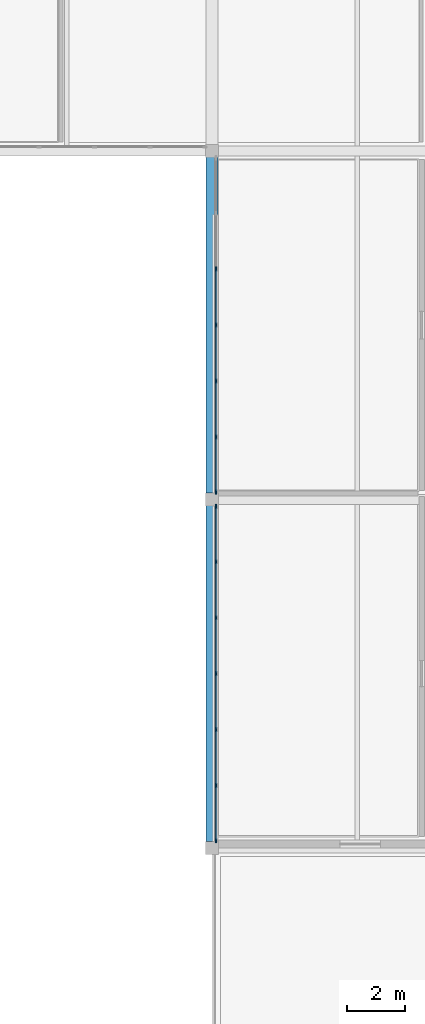
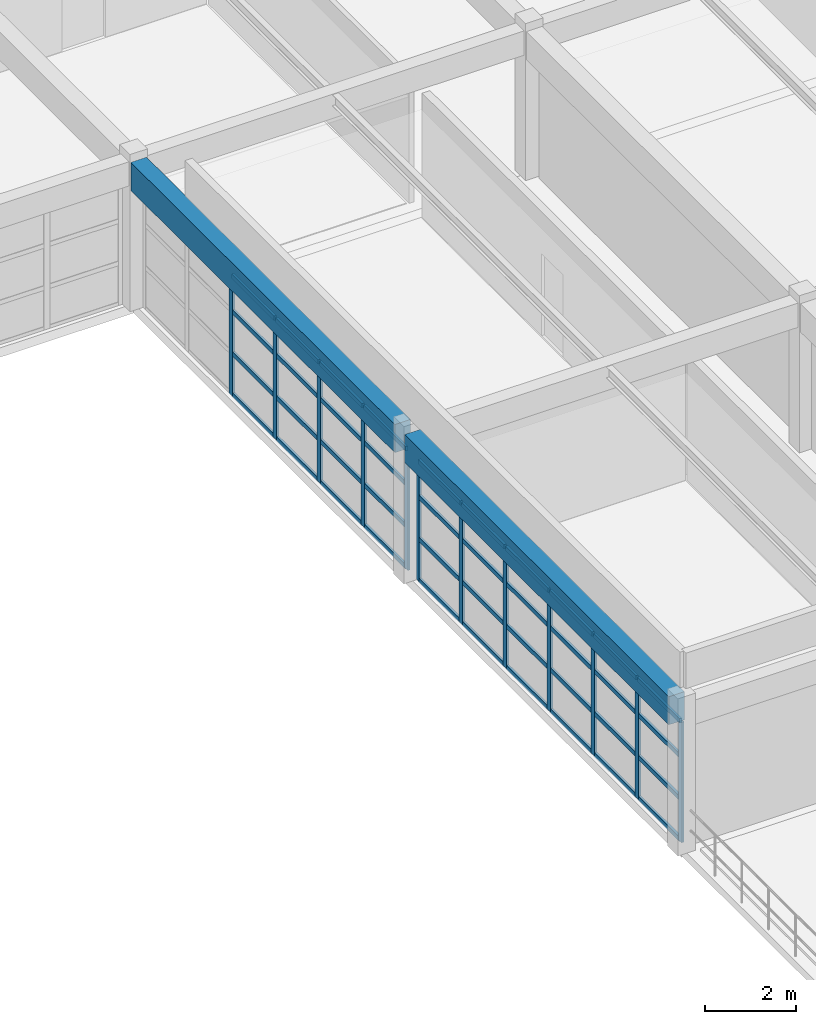
# One storey, part 2 of 16: 52 members, 2 beams, 2 elements without a shape of their own.
"""IFC4 building model written with IfcOpenShell, lengths in metres."""

from ifc_helpers import new_model, si_unit, direction, frame, origin, origin_2d, place, context, subcontext, project, spatial, rectangle, extrude, material, layer, layer_set, material_profile, profile_set, type_object, element, aggregate, save


model = new_model("IFC4")

# Units and contexts
model_context = context("Model", 3, precision=1e-05, world=origin(), true_north=direction((0.0, 1.0)))
body_context = subcontext(model_context, "Body", "Model", "MODEL_VIEW")
ifc_project = project(units=[si_unit("LENGTHUNIT", "METRE"), si_unit("AREAUNIT", "SQUARE_METRE"), si_unit("VOLUMEUNIT", "CUBIC_METRE"), si_unit("PLANEANGLEUNIT", "RADIAN"), si_unit("MASSUNIT", "GRAM", prefix="KILO")], contexts=[model_context])

# Site, building, storey
site_placement = place(None, origin())
site = spatial("IfcSite", under=ifc_project, at=site_placement, CompositionType="ELEMENT")
building_placement = place(site_placement, origin())
building = spatial("IfcBuilding", under=site, at=building_placement, Name="Kivolera Central Railway Station", CompositionType="ELEMENT")
storey_placement = place(building_placement, frame((0.0, 0.0, 27.0)))
storey = spatial("IfcBuildingStorey", under=building, at=storey_placement, Name="L06", CompositionType="ELEMENT", Elevation=27.0)

# Beams
ifc_material_1 = material(Name="Concrete C40/50", Category="concrete")
ifc_material_profile_1 = material_profile(ifc_material_1, rectangle(XDim=0.39990234375, YDim=0.75, at=origin_2d()), Name="RC 400x750")
ifc_profile_set_1 = profile_set([ifc_material_profile_1], Name="Concrete C40/50")
beam_type = type_object("IfcBeamType", Name="BM-RC-400x750", PredefinedType="BEAM", material=ifc_profile_set_1)
for number, where, z_axis, x_axis, name in (
    (1, (178.0, 90.217041015625, 3.60498046875), (0.0, 1.0, 0.0), (-1.0, 0.0, 0.0), "L06 Wing Y-Beam 18:H-J"),
    (2, (178.0, 102.217041015625, 3.60498046875), (0.0, 1.0, 0.0), (-1.0, 0.0, 0.0), "L06 Wing Y-Beam 18:J-K"),
):
    element("IfcBeam", number, at=place(storey_placement, frame(where, z_axis=z_axis, x_axis=x_axis)), inside=storey, type_object=beam_type, Name=name, PredefinedType="BEAM", context=body_context, shape_type="SweptSolid", body=[
        extrude(rectangle(XDim=0.39990234375, YDim=0.75, at=origin_2d()), origin(), (0.0, 0.0, 1.0), 11.56591796875),
    ])

# Curtain wall, members
ifc_material_2 = material(Name="Anodised aluminium", Category="aluminium")
ifc_layer = layer(ifc_material_2, 0.179931640625, Name="Anodised aluminium")
ifc_layer_set = layer_set([ifc_layer], Name="Anodised aluminium")
curtain_wall_type = type_object("IfcCurtainWallType", Name="CW-SYS-35", PredefinedType="NOTDEFINED", material=ifc_layer_set)
curtain_wall_1_placement = place(storey_placement, origin())
curtain_wall_1 = element("IfcCurtainWall", 3, at=curtain_wall_1_placement, inside=storey, type_object=curtain_wall_type, Name="L06 Curtain Wall CW-L06-CRTE-H", PredefinedType="NOTDEFINED")
ifc_material_profile_2 = material_profile(ifc_material_2, rectangle(XDim=0.06005859375, YDim=0.14990234375, at=origin_2d()), Name="ALU MULL 60x150")
ifc_profile_set_2 = profile_set([ifc_material_profile_2], Name="Anodised aluminium")
member_type_1 = type_object("IfcMemberType", Name="CWM-MUL-2", PredefinedType="MULLION", material=ifc_profile_set_2)
member_1_placement = place(storey_placement, frame((178.135009765625, 90.25, -0.0048828125), z_axis=(0.0, 0.0, 1.0), x_axis=(-1.0, 0.0, 0.0)))
member_1 = element("IfcMember", 4, at=member_1_placement, type_object=member_type_1, Name="CW-35 mullion 1", PredefinedType="MULLION", context=body_context, shape_type="SweptSolid", body=[
    extrude(rectangle(XDim=0.06005859375, YDim=0.14990234375, at=origin_2d()), origin(), (0.0, 0.0, 1.0), 3.222900390625),
])
member_2_placement = place(storey_placement, frame((178.135009765625, 92.146728515625, -0.0048828125), z_axis=(0.0, 0.0, 1.0), x_axis=(-1.0, 0.0, 0.0)))
member_2 = element("IfcMember", 5, at=member_2_placement, type_object=member_type_1, Name="CW-35 mullion 2", PredefinedType="MULLION", context=body_context, shape_type="SweptSolid", body=[
    extrude(rectangle(XDim=0.06005859375, YDim=0.14990234375, at=origin_2d()), origin(), (0.0, 0.0, 1.0), 3.222900390625),
])
member_3_placement = place(storey_placement, frame((178.135009765625, 94.0732421875, -0.0048828125), z_axis=(0.0, 0.0, 1.0), x_axis=(-1.0, 0.0, 0.0)))
member_3 = element("IfcMember", 6, at=member_3_placement, type_object=member_type_1, Name="CW-35 mullion 3", PredefinedType="MULLION", context=body_context, shape_type="SweptSolid", body=[
    extrude(rectangle(XDim=0.06005859375, YDim=0.14990234375, at=origin_2d()), origin(), (0.0, 0.0, 1.0), 3.222900390625),
])
member_4_placement = place(storey_placement, frame((178.135009765625, 96.0, -0.0048828125), z_axis=(0.0, 0.0, 1.0), x_axis=(-1.0, 0.0, 0.0)))
member_4 = element("IfcMember", 7, at=member_4_placement, type_object=member_type_1, Name="CW-35 mullion 4", PredefinedType="MULLION", context=body_context, shape_type="SweptSolid", body=[
    extrude(rectangle(XDim=0.06005859375, YDim=0.14990234375, at=origin_2d()), origin(), (0.0, 0.0, 1.0), 3.222900390625),
])
member_5_placement = place(storey_placement, frame((178.135009765625, 97.9267578125, -0.0048828125), z_axis=(0.0, 0.0, 1.0), x_axis=(-1.0, 0.0, 0.0)))
member_5 = element("IfcMember", 8, at=member_5_placement, type_object=member_type_1, Name="CW-35 mullion 5", PredefinedType="MULLION", context=body_context, shape_type="SweptSolid", body=[
    extrude(rectangle(XDim=0.06005859375, YDim=0.14990234375, at=origin_2d()), origin(), (0.0, 0.0, 1.0), 3.222900390625),
])
member_6_placement = place(storey_placement, frame((178.135009765625, 99.853271484375, -0.0048828125), z_axis=(0.0, 0.0, 1.0), x_axis=(-1.0, 0.0, 0.0)))
member_6 = element("IfcMember", 9, at=member_6_placement, type_object=member_type_1, Name="CW-35 mullion 6", PredefinedType="MULLION", context=body_context, shape_type="SweptSolid", body=[
    extrude(rectangle(XDim=0.06005859375, YDim=0.14990234375, at=origin_2d()), origin(), (0.0, 0.0, 1.0), 3.222900390625),
])
member_7_placement = place(storey_placement, frame((178.135009765625, 101.75, -0.0048828125), z_axis=(0.0, 0.0, 1.0), x_axis=(-1.0, 0.0, 0.0)))
member_7 = element("IfcMember", 10, at=member_7_placement, type_object=member_type_1, Name="CW-35 mullion 7", PredefinedType="MULLION", context=body_context, shape_type="SweptSolid", body=[
    extrude(rectangle(XDim=0.06005859375, YDim=0.14990234375, at=origin_2d()), origin(), (0.0, 0.0, 1.0), 3.222900390625),
])

curtain_wall_2_placement = place(storey_placement, origin())
curtain_wall_2 = element("IfcCurtainWall", 11, at=curtain_wall_2_placement, inside=storey, type_object=curtain_wall_type, Name="L06 Curtain Wall CW-L06-CRTE-J", PredefinedType="NOTDEFINED")
member_8_placement = place(storey_placement, frame((178.135009765625, 102.25, -0.0048828125), z_axis=(0.0, 0.0, 1.0), x_axis=(-1.0, 0.0, 0.0)))
member_8 = element("IfcMember", 12, at=member_8_placement, type_object=member_type_1, Name="CW-35 mullion 1", PredefinedType="MULLION", context=body_context, shape_type="SweptSolid", body=[
    extrude(rectangle(XDim=0.06005859375, YDim=0.14990234375, at=origin_2d()), origin(), (0.0, 0.0, 1.0), 3.222900390625),
])
member_9_placement = place(storey_placement, frame((178.135009765625, 104.146728515625, -0.0048828125), z_axis=(0.0, 0.0, 1.0), x_axis=(-1.0, 0.0, 0.0)))
member_9 = element("IfcMember", 13, at=member_9_placement, type_object=member_type_1, Name="CW-35 mullion 2", PredefinedType="MULLION", context=body_context, shape_type="SweptSolid", body=[
    extrude(rectangle(XDim=0.06005859375, YDim=0.14990234375, at=origin_2d()), origin(), (0.0, 0.0, 1.0), 3.222900390625),
])
member_10_placement = place(storey_placement, frame((178.135009765625, 106.0732421875, -0.0048828125), z_axis=(0.0, 0.0, 1.0), x_axis=(-1.0, 0.0, 0.0)))
member_10 = element("IfcMember", 14, at=member_10_placement, type_object=member_type_1, Name="CW-35 mullion 3", PredefinedType="MULLION", context=body_context, shape_type="SweptSolid", body=[
    extrude(rectangle(XDim=0.06005859375, YDim=0.14990234375, at=origin_2d()), origin(), (0.0, 0.0, 1.0), 3.222900390625),
])
member_11_placement = place(storey_placement, frame((178.135009765625, 108.0, -0.0048828125), z_axis=(0.0, 0.0, 1.0), x_axis=(-1.0, 0.0, 0.0)))
member_11 = element("IfcMember", 15, at=member_11_placement, type_object=member_type_1, Name="CW-35 mullion 4", PredefinedType="MULLION", context=body_context, shape_type="SweptSolid", body=[
    extrude(rectangle(XDim=0.06005859375, YDim=0.14990234375, at=origin_2d()), origin(), (0.0, 0.0, 1.0), 3.222900390625),
])
member_12_placement = place(storey_placement, frame((178.135009765625, 109.9267578125, -0.0048828125), z_axis=(0.0, 0.0, 1.0), x_axis=(-1.0, 0.0, 0.0)))
member_12 = element("IfcMember", 16, at=member_12_placement, type_object=member_type_1, Name="CW-35 mullion 5", PredefinedType="MULLION", context=body_context, shape_type="SweptSolid", body=[
    extrude(rectangle(XDim=0.06005859375, YDim=0.14990234375, at=origin_2d()), origin(), (0.0, 0.0, 1.0), 3.222900390625),
])

# Member
ifc_material_profile_3 = material_profile(ifc_material_2, rectangle(XDim=0.06005859375, YDim=0.1201171875, at=origin_2d()), Name="ALU TRAN 60x120")
ifc_profile_set_3 = profile_set([ifc_material_profile_3], Name="Anodised aluminium")
member_type_2 = type_object("IfcMemberType", Name="CWM-TRN-2", PredefinedType="USERDEFINED", material=ifc_profile_set_3)
member_13_placement = place(storey_placement, frame((178.135009765625, 90.280029296875, 0.030029296875), z_axis=(0.0, 1.0, 0.0), x_axis=(-1.0, 0.0, 0.0)))
member_13 = element("IfcMember", 17, at=member_13_placement, type_object=member_type_2, Name="CW-35 transom 1.1", ObjectType="TRANSOM", PredefinedType="USERDEFINED", context=body_context, shape_type="SweptSolid", body=[
    extrude(rectangle(XDim=0.06005859375, YDim=0.1201171875, at=origin_2d()), origin(), (0.0, 0.0, 1.0), 1.836669921875),
])

member_14_placement = place(storey_placement, frame((178.135009765625, 90.280029296875, 1.126220703125), z_axis=(0.0, 1.0, 0.0), x_axis=(-1.0, 0.0, 0.0)))
member_14 = element("IfcMember", 18, at=member_14_placement, type_object=member_type_2, Name="CW-35 transom 1.2", ObjectType="TRANSOM", PredefinedType="USERDEFINED", context=body_context, shape_type="SweptSolid", body=[
    extrude(rectangle(XDim=0.06005859375, YDim=0.1201171875, at=origin_2d()), origin(), (0.0, 0.0, 1.0), 1.836669921875),
])

member_15_placement = place(storey_placement, frame((178.135009765625, 90.280029296875, 2.252685546875), z_axis=(0.0, 1.0, 0.0), x_axis=(-1.0, 0.0, 0.0)))
member_15 = element("IfcMember", 19, at=member_15_placement, type_object=member_type_2, Name="CW-35 transom 1.3", ObjectType="TRANSOM", PredefinedType="USERDEFINED", context=body_context, shape_type="SweptSolid", body=[
    extrude(rectangle(XDim=0.06005859375, YDim=0.1201171875, at=origin_2d()), origin(), (0.0, 0.0, 1.0), 1.836669921875),
])

member_16_placement = place(storey_placement, frame((178.135009765625, 90.280029296875, 3.18798828125), z_axis=(0.0, 1.0, 0.0), x_axis=(-1.0, 0.0, 0.0)))
member_16 = element("IfcMember", 20, at=member_16_placement, type_object=member_type_2, Name="CW-35 transom 1.4", ObjectType="TRANSOM", PredefinedType="USERDEFINED", context=body_context, shape_type="SweptSolid", body=[
    extrude(rectangle(XDim=0.06005859375, YDim=0.1201171875, at=origin_2d()), origin(), (0.0, 0.0, 1.0), 1.836669921875),
])

member_17_placement = place(storey_placement, frame((178.135009765625, 92.1767578125, 0.030029296875), z_axis=(0.0, 1.0, 0.0), x_axis=(-1.0, 0.0, 0.0)))
member_17 = element("IfcMember", 21, at=member_17_placement, type_object=member_type_2, Name="CW-35 transom 2.1", ObjectType="TRANSOM", PredefinedType="USERDEFINED", context=body_context, shape_type="SweptSolid", body=[
    extrude(rectangle(XDim=0.06005859375, YDim=0.1201171875, at=origin_2d()), origin(), (0.0, 0.0, 1.0), 1.866455078125),
])

member_18_placement = place(storey_placement, frame((178.135009765625, 92.1767578125, 1.126220703125), z_axis=(0.0, 1.0, 0.0), x_axis=(-1.0, 0.0, 0.0)))
member_18 = element("IfcMember", 22, at=member_18_placement, type_object=member_type_2, Name="CW-35 transom 2.2", ObjectType="TRANSOM", PredefinedType="USERDEFINED", context=body_context, shape_type="SweptSolid", body=[
    extrude(rectangle(XDim=0.06005859375, YDim=0.1201171875, at=origin_2d()), origin(), (0.0, 0.0, 1.0), 1.866455078125),
])

member_19_placement = place(storey_placement, frame((178.135009765625, 92.1767578125, 2.252685546875), z_axis=(0.0, 1.0, 0.0), x_axis=(-1.0, 0.0, 0.0)))
member_19 = element("IfcMember", 23, at=member_19_placement, type_object=member_type_2, Name="CW-35 transom 2.3", ObjectType="TRANSOM", PredefinedType="USERDEFINED", context=body_context, shape_type="SweptSolid", body=[
    extrude(rectangle(XDim=0.06005859375, YDim=0.1201171875, at=origin_2d()), origin(), (0.0, 0.0, 1.0), 1.866455078125),
])

member_20_placement = place(storey_placement, frame((178.135009765625, 92.1767578125, 3.18798828125), z_axis=(0.0, 1.0, 0.0), x_axis=(-1.0, 0.0, 0.0)))
member_20 = element("IfcMember", 24, at=member_20_placement, type_object=member_type_2, Name="CW-35 transom 2.4", ObjectType="TRANSOM", PredefinedType="USERDEFINED", context=body_context, shape_type="SweptSolid", body=[
    extrude(rectangle(XDim=0.06005859375, YDim=0.1201171875, at=origin_2d()), origin(), (0.0, 0.0, 1.0), 1.866455078125),
])

member_21_placement = place(storey_placement, frame((178.135009765625, 94.103271484375, 0.030029296875), z_axis=(0.0, 1.0, 0.0), x_axis=(-1.0, 0.0, 0.0)))
member_21 = element("IfcMember", 25, at=member_21_placement, type_object=member_type_2, Name="CW-35 transom 3.1", ObjectType="TRANSOM", PredefinedType="USERDEFINED", context=body_context, shape_type="SweptSolid", body=[
    extrude(rectangle(XDim=0.06005859375, YDim=0.1201171875, at=origin_2d()), origin(), (0.0, 0.0, 1.0), 1.86669921875),
])

member_22_placement = place(storey_placement, frame((178.135009765625, 94.103271484375, 1.126220703125), z_axis=(0.0, 1.0, 0.0), x_axis=(-1.0, 0.0, 0.0)))
member_22 = element("IfcMember", 26, at=member_22_placement, type_object=member_type_2, Name="CW-35 transom 3.2", ObjectType="TRANSOM", PredefinedType="USERDEFINED", context=body_context, shape_type="SweptSolid", body=[
    extrude(rectangle(XDim=0.06005859375, YDim=0.1201171875, at=origin_2d()), origin(), (0.0, 0.0, 1.0), 1.86669921875),
])

member_23_placement = place(storey_placement, frame((178.135009765625, 94.103271484375, 2.252685546875), z_axis=(0.0, 1.0, 0.0), x_axis=(-1.0, 0.0, 0.0)))
member_23 = element("IfcMember", 27, at=member_23_placement, type_object=member_type_2, Name="CW-35 transom 3.3", ObjectType="TRANSOM", PredefinedType="USERDEFINED", context=body_context, shape_type="SweptSolid", body=[
    extrude(rectangle(XDim=0.06005859375, YDim=0.1201171875, at=origin_2d()), origin(), (0.0, 0.0, 1.0), 1.86669921875),
])

member_24_placement = place(storey_placement, frame((178.135009765625, 94.103271484375, 3.18798828125), z_axis=(0.0, 1.0, 0.0), x_axis=(-1.0, 0.0, 0.0)))
member_24 = element("IfcMember", 28, at=member_24_placement, type_object=member_type_2, Name="CW-35 transom 3.4", ObjectType="TRANSOM", PredefinedType="USERDEFINED", context=body_context, shape_type="SweptSolid", body=[
    extrude(rectangle(XDim=0.06005859375, YDim=0.1201171875, at=origin_2d()), origin(), (0.0, 0.0, 1.0), 1.86669921875),
])

member_25_placement = place(storey_placement, frame((178.135009765625, 96.030029296875, 0.030029296875), z_axis=(0.0, 1.0, 0.0), x_axis=(-1.0, 0.0, 0.0)))
member_25 = element("IfcMember", 29, at=member_25_placement, type_object=member_type_2, Name="CW-35 transom 4.1", ObjectType="TRANSOM", PredefinedType="USERDEFINED", context=body_context, shape_type="SweptSolid", body=[
    extrude(rectangle(XDim=0.06005859375, YDim=0.1201171875, at=origin_2d()), origin(), (0.0, 0.0, 1.0), 1.86669921875),
])

member_26_placement = place(storey_placement, frame((178.135009765625, 96.030029296875, 1.126220703125), z_axis=(0.0, 1.0, 0.0), x_axis=(-1.0, 0.0, 0.0)))
member_26 = element("IfcMember", 30, at=member_26_placement, type_object=member_type_2, Name="CW-35 transom 4.2", ObjectType="TRANSOM", PredefinedType="USERDEFINED", context=body_context, shape_type="SweptSolid", body=[
    extrude(rectangle(XDim=0.06005859375, YDim=0.1201171875, at=origin_2d()), origin(), (0.0, 0.0, 1.0), 1.86669921875),
])

member_27_placement = place(storey_placement, frame((178.135009765625, 96.030029296875, 2.252685546875), z_axis=(0.0, 1.0, 0.0), x_axis=(-1.0, 0.0, 0.0)))
member_27 = element("IfcMember", 31, at=member_27_placement, type_object=member_type_2, Name="CW-35 transom 4.3", ObjectType="TRANSOM", PredefinedType="USERDEFINED", context=body_context, shape_type="SweptSolid", body=[
    extrude(rectangle(XDim=0.06005859375, YDim=0.1201171875, at=origin_2d()), origin(), (0.0, 0.0, 1.0), 1.86669921875),
])

member_28_placement = place(storey_placement, frame((178.135009765625, 96.030029296875, 3.18798828125), z_axis=(0.0, 1.0, 0.0), x_axis=(-1.0, 0.0, 0.0)))
member_28 = element("IfcMember", 32, at=member_28_placement, type_object=member_type_2, Name="CW-35 transom 4.4", ObjectType="TRANSOM", PredefinedType="USERDEFINED", context=body_context, shape_type="SweptSolid", body=[
    extrude(rectangle(XDim=0.06005859375, YDim=0.1201171875, at=origin_2d()), origin(), (0.0, 0.0, 1.0), 1.86669921875),
])

member_29_placement = place(storey_placement, frame((178.135009765625, 97.956787109375, 0.030029296875), z_axis=(0.0, 1.0, 0.0), x_axis=(-1.0, 0.0, 0.0)))
member_29 = element("IfcMember", 33, at=member_29_placement, type_object=member_type_2, Name="CW-35 transom 5.1", ObjectType="TRANSOM", PredefinedType="USERDEFINED", context=body_context, shape_type="SweptSolid", body=[
    extrude(rectangle(XDim=0.06005859375, YDim=0.1201171875, at=origin_2d()), origin(), (0.0, 0.0, 1.0), 1.866455078125),
])

member_30_placement = place(storey_placement, frame((178.135009765625, 97.956787109375, 1.126220703125), z_axis=(0.0, 1.0, 0.0), x_axis=(-1.0, 0.0, 0.0)))
member_30 = element("IfcMember", 34, at=member_30_placement, type_object=member_type_2, Name="CW-35 transom 5.2", ObjectType="TRANSOM", PredefinedType="USERDEFINED", context=body_context, shape_type="SweptSolid", body=[
    extrude(rectangle(XDim=0.06005859375, YDim=0.1201171875, at=origin_2d()), origin(), (0.0, 0.0, 1.0), 1.866455078125),
])

member_31_placement = place(storey_placement, frame((178.135009765625, 97.956787109375, 2.252685546875), z_axis=(0.0, 1.0, 0.0), x_axis=(-1.0, 0.0, 0.0)))
member_31 = element("IfcMember", 35, at=member_31_placement, type_object=member_type_2, Name="CW-35 transom 5.3", ObjectType="TRANSOM", PredefinedType="USERDEFINED", context=body_context, shape_type="SweptSolid", body=[
    extrude(rectangle(XDim=0.06005859375, YDim=0.1201171875, at=origin_2d()), origin(), (0.0, 0.0, 1.0), 1.866455078125),
])

member_32_placement = place(storey_placement, frame((178.135009765625, 97.956787109375, 3.18798828125), z_axis=(0.0, 1.0, 0.0), x_axis=(-1.0, 0.0, 0.0)))
member_32 = element("IfcMember", 36, at=member_32_placement, type_object=member_type_2, Name="CW-35 transom 5.4", ObjectType="TRANSOM", PredefinedType="USERDEFINED", context=body_context, shape_type="SweptSolid", body=[
    extrude(rectangle(XDim=0.06005859375, YDim=0.1201171875, at=origin_2d()), origin(), (0.0, 0.0, 1.0), 1.866455078125),
])

member_33_placement = place(storey_placement, frame((178.135009765625, 99.88330078125, 0.030029296875), z_axis=(0.0, 1.0, 0.0), x_axis=(-1.0, 0.0, 0.0)))
member_33 = element("IfcMember", 37, at=member_33_placement, type_object=member_type_2, Name="CW-35 transom 6.1", ObjectType="TRANSOM", PredefinedType="USERDEFINED", context=body_context, shape_type="SweptSolid", body=[
    extrude(rectangle(XDim=0.06005859375, YDim=0.1201171875, at=origin_2d()), origin(), (0.0, 0.0, 1.0), 1.836669921875),
])

member_34_placement = place(storey_placement, frame((178.135009765625, 99.88330078125, 1.126220703125), z_axis=(0.0, 1.0, 0.0), x_axis=(-1.0, 0.0, 0.0)))
member_34 = element("IfcMember", 38, at=member_34_placement, type_object=member_type_2, Name="CW-35 transom 6.2", ObjectType="TRANSOM", PredefinedType="USERDEFINED", context=body_context, shape_type="SweptSolid", body=[
    extrude(rectangle(XDim=0.06005859375, YDim=0.1201171875, at=origin_2d()), origin(), (0.0, 0.0, 1.0), 1.836669921875),
])

member_35_placement = place(storey_placement, frame((178.135009765625, 99.88330078125, 2.252685546875), z_axis=(0.0, 1.0, 0.0), x_axis=(-1.0, 0.0, 0.0)))
member_35 = element("IfcMember", 39, at=member_35_placement, type_object=member_type_2, Name="CW-35 transom 6.3", ObjectType="TRANSOM", PredefinedType="USERDEFINED", context=body_context, shape_type="SweptSolid", body=[
    extrude(rectangle(XDim=0.06005859375, YDim=0.1201171875, at=origin_2d()), origin(), (0.0, 0.0, 1.0), 1.836669921875),
])

member_36_placement = place(storey_placement, frame((178.135009765625, 99.88330078125, 3.18798828125), z_axis=(0.0, 1.0, 0.0), x_axis=(-1.0, 0.0, 0.0)))
member_36 = element("IfcMember", 40, at=member_36_placement, type_object=member_type_2, Name="CW-35 transom 6.4", ObjectType="TRANSOM", PredefinedType="USERDEFINED", context=body_context, shape_type="SweptSolid", body=[
    extrude(rectangle(XDim=0.06005859375, YDim=0.1201171875, at=origin_2d()), origin(), (0.0, 0.0, 1.0), 1.836669921875),
])

aggregate(curtain_wall_1, [member_1, member_2, member_3, member_4, member_5, member_6, member_7, member_13, member_14, member_15, member_16, member_17, member_18, member_19, member_20, member_21, member_22, member_23, member_24, member_25, member_26, member_27, member_28, member_29, member_30, member_31, member_32, member_33, member_34, member_35, member_36])

member_37_placement = place(storey_placement, frame((178.135009765625, 102.280029296875, 0.030029296875), z_axis=(0.0, 1.0, 0.0), x_axis=(-1.0, 0.0, 0.0)))
member_37 = element("IfcMember", 41, at=member_37_placement, type_object=member_type_2, Name="CW-35 transom 1.1", ObjectType="TRANSOM", PredefinedType="USERDEFINED", context=body_context, shape_type="SweptSolid", body=[
    extrude(rectangle(XDim=0.06005859375, YDim=0.1201171875, at=origin_2d()), origin(), (0.0, 0.0, 1.0), 1.836669921875),
])

member_38_placement = place(storey_placement, frame((178.135009765625, 102.280029296875, 1.126220703125), z_axis=(0.0, 1.0, 0.0), x_axis=(-1.0, 0.0, 0.0)))
member_38 = element("IfcMember", 42, at=member_38_placement, type_object=member_type_2, Name="CW-35 transom 1.2", ObjectType="TRANSOM", PredefinedType="USERDEFINED", context=body_context, shape_type="SweptSolid", body=[
    extrude(rectangle(XDim=0.06005859375, YDim=0.1201171875, at=origin_2d()), origin(), (0.0, 0.0, 1.0), 1.836669921875),
])

member_39_placement = place(storey_placement, frame((178.135009765625, 102.280029296875, 2.252685546875), z_axis=(0.0, 1.0, 0.0), x_axis=(-1.0, 0.0, 0.0)))
member_39 = element("IfcMember", 43, at=member_39_placement, type_object=member_type_2, Name="CW-35 transom 1.3", ObjectType="TRANSOM", PredefinedType="USERDEFINED", context=body_context, shape_type="SweptSolid", body=[
    extrude(rectangle(XDim=0.06005859375, YDim=0.1201171875, at=origin_2d()), origin(), (0.0, 0.0, 1.0), 1.836669921875),
])

member_40_placement = place(storey_placement, frame((178.135009765625, 102.280029296875, 3.18798828125), z_axis=(0.0, 1.0, 0.0), x_axis=(-1.0, 0.0, 0.0)))
member_40 = element("IfcMember", 44, at=member_40_placement, type_object=member_type_2, Name="CW-35 transom 1.4", ObjectType="TRANSOM", PredefinedType="USERDEFINED", context=body_context, shape_type="SweptSolid", body=[
    extrude(rectangle(XDim=0.06005859375, YDim=0.1201171875, at=origin_2d()), origin(), (0.0, 0.0, 1.0), 1.836669921875),
])

member_41_placement = place(storey_placement, frame((178.135009765625, 104.1767578125, 0.030029296875), z_axis=(0.0, 1.0, 0.0), x_axis=(-1.0, 0.0, 0.0)))
member_41 = element("IfcMember", 45, at=member_41_placement, type_object=member_type_2, Name="CW-35 transom 2.1", ObjectType="TRANSOM", PredefinedType="USERDEFINED", context=body_context, shape_type="SweptSolid", body=[
    extrude(rectangle(XDim=0.06005859375, YDim=0.1201171875, at=origin_2d()), origin(), (0.0, 0.0, 1.0), 1.866455078125),
])

member_42_placement = place(storey_placement, frame((178.135009765625, 104.1767578125, 1.126220703125), z_axis=(0.0, 1.0, 0.0), x_axis=(-1.0, 0.0, 0.0)))
member_42 = element("IfcMember", 46, at=member_42_placement, type_object=member_type_2, Name="CW-35 transom 2.2", ObjectType="TRANSOM", PredefinedType="USERDEFINED", context=body_context, shape_type="SweptSolid", body=[
    extrude(rectangle(XDim=0.06005859375, YDim=0.1201171875, at=origin_2d()), origin(), (0.0, 0.0, 1.0), 1.866455078125),
])

member_43_placement = place(storey_placement, frame((178.135009765625, 104.1767578125, 2.252685546875), z_axis=(0.0, 1.0, 0.0), x_axis=(-1.0, 0.0, 0.0)))
member_43 = element("IfcMember", 47, at=member_43_placement, type_object=member_type_2, Name="CW-35 transom 2.3", ObjectType="TRANSOM", PredefinedType="USERDEFINED", context=body_context, shape_type="SweptSolid", body=[
    extrude(rectangle(XDim=0.06005859375, YDim=0.1201171875, at=origin_2d()), origin(), (0.0, 0.0, 1.0), 1.866455078125),
])

member_44_placement = place(storey_placement, frame((178.135009765625, 104.1767578125, 3.18798828125), z_axis=(0.0, 1.0, 0.0), x_axis=(-1.0, 0.0, 0.0)))
member_44 = element("IfcMember", 48, at=member_44_placement, type_object=member_type_2, Name="CW-35 transom 2.4", ObjectType="TRANSOM", PredefinedType="USERDEFINED", context=body_context, shape_type="SweptSolid", body=[
    extrude(rectangle(XDim=0.06005859375, YDim=0.1201171875, at=origin_2d()), origin(), (0.0, 0.0, 1.0), 1.866455078125),
])

member_45_placement = place(storey_placement, frame((178.135009765625, 106.103271484375, 0.030029296875), z_axis=(0.0, 1.0, 0.0), x_axis=(-1.0, 0.0, 0.0)))
member_45 = element("IfcMember", 49, at=member_45_placement, type_object=member_type_2, Name="CW-35 transom 3.1", ObjectType="TRANSOM", PredefinedType="USERDEFINED", context=body_context, shape_type="SweptSolid", body=[
    extrude(rectangle(XDim=0.06005859375, YDim=0.1201171875, at=origin_2d()), origin(), (0.0, 0.0, 1.0), 1.86669921875),
])

member_46_placement = place(storey_placement, frame((178.135009765625, 106.103271484375, 1.126220703125), z_axis=(0.0, 1.0, 0.0), x_axis=(-1.0, 0.0, 0.0)))
member_46 = element("IfcMember", 50, at=member_46_placement, type_object=member_type_2, Name="CW-35 transom 3.2", ObjectType="TRANSOM", PredefinedType="USERDEFINED", context=body_context, shape_type="SweptSolid", body=[
    extrude(rectangle(XDim=0.06005859375, YDim=0.1201171875, at=origin_2d()), origin(), (0.0, 0.0, 1.0), 1.86669921875),
])

member_47_placement = place(storey_placement, frame((178.135009765625, 106.103271484375, 2.252685546875), z_axis=(0.0, 1.0, 0.0), x_axis=(-1.0, 0.0, 0.0)))
member_47 = element("IfcMember", 51, at=member_47_placement, type_object=member_type_2, Name="CW-35 transom 3.3", ObjectType="TRANSOM", PredefinedType="USERDEFINED", context=body_context, shape_type="SweptSolid", body=[
    extrude(rectangle(XDim=0.06005859375, YDim=0.1201171875, at=origin_2d()), origin(), (0.0, 0.0, 1.0), 1.86669921875),
])

member_48_placement = place(storey_placement, frame((178.135009765625, 106.103271484375, 3.18798828125), z_axis=(0.0, 1.0, 0.0), x_axis=(-1.0, 0.0, 0.0)))
member_48 = element("IfcMember", 52, at=member_48_placement, type_object=member_type_2, Name="CW-35 transom 3.4", ObjectType="TRANSOM", PredefinedType="USERDEFINED", context=body_context, shape_type="SweptSolid", body=[
    extrude(rectangle(XDim=0.06005859375, YDim=0.1201171875, at=origin_2d()), origin(), (0.0, 0.0, 1.0), 1.86669921875),
])

member_49_placement = place(storey_placement, frame((178.135009765625, 108.030029296875, 0.030029296875), z_axis=(0.0, 1.0, 0.0), x_axis=(-1.0, 0.0, 0.0)))
member_49 = element("IfcMember", 53, at=member_49_placement, type_object=member_type_2, Name="CW-35 transom 4.1", ObjectType="TRANSOM", PredefinedType="USERDEFINED", context=body_context, shape_type="SweptSolid", body=[
    extrude(rectangle(XDim=0.06005859375, YDim=0.1201171875, at=origin_2d()), origin(), (0.0, 0.0, 1.0), 1.86669921875),
])

member_50_placement = place(storey_placement, frame((178.135009765625, 108.030029296875, 1.126220703125), z_axis=(0.0, 1.0, 0.0), x_axis=(-1.0, 0.0, 0.0)))
member_50 = element("IfcMember", 54, at=member_50_placement, type_object=member_type_2, Name="CW-35 transom 4.2", ObjectType="TRANSOM", PredefinedType="USERDEFINED", context=body_context, shape_type="SweptSolid", body=[
    extrude(rectangle(XDim=0.06005859375, YDim=0.1201171875, at=origin_2d()), origin(), (0.0, 0.0, 1.0), 1.86669921875),
])

member_51_placement = place(storey_placement, frame((178.135009765625, 108.030029296875, 2.252685546875), z_axis=(0.0, 1.0, 0.0), x_axis=(-1.0, 0.0, 0.0)))
member_51 = element("IfcMember", 55, at=member_51_placement, type_object=member_type_2, Name="CW-35 transom 4.3", ObjectType="TRANSOM", PredefinedType="USERDEFINED", context=body_context, shape_type="SweptSolid", body=[
    extrude(rectangle(XDim=0.06005859375, YDim=0.1201171875, at=origin_2d()), origin(), (0.0, 0.0, 1.0), 1.86669921875),
])

member_52_placement = place(storey_placement, frame((178.135009765625, 108.030029296875, 3.18798828125), z_axis=(0.0, 1.0, 0.0), x_axis=(-1.0, 0.0, 0.0)))
member_52 = element("IfcMember", 56, at=member_52_placement, type_object=member_type_2, Name="CW-35 transom 4.4", ObjectType="TRANSOM", PredefinedType="USERDEFINED", context=body_context, shape_type="SweptSolid", body=[
    extrude(rectangle(XDim=0.06005859375, YDim=0.1201171875, at=origin_2d()), origin(), (0.0, 0.0, 1.0), 1.86669921875),
])

aggregate(curtain_wall_2, [member_8, member_9, member_10, member_11, member_12, member_37, member_38, member_39, member_40, member_41, member_42, member_43, member_44, member_45, member_46, member_47, member_48, member_49, member_50, member_51, member_52])

save(model, "model.ifc")
